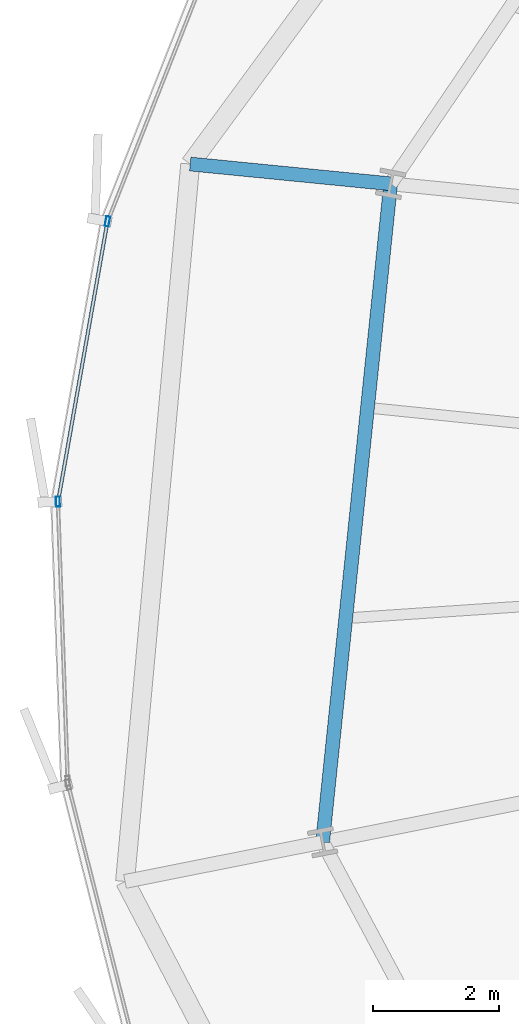
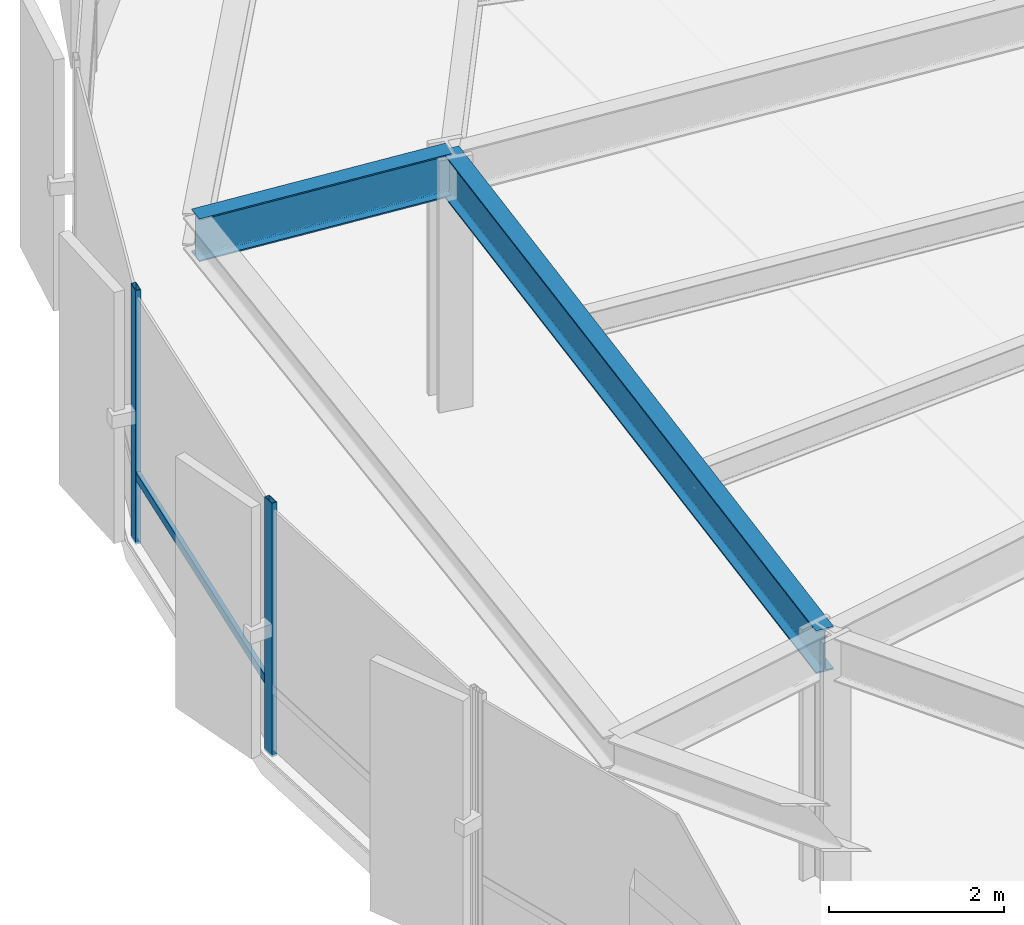
# One storey, part 9 of 38: 3 members, 2 beams, 1 element without a shape of its own.
"""IFC4 building model written with IfcOpenShell, lengths in metres."""

from ifc_helpers import new_model, si_unit, direction, frame, origin, origin_2d, place, context, subcontext, project, spatial, hollow_rectangle, i_section, extrude, source, transform, mapped, material, layer, layer_set, material_profile, profile_set, type_object, element, aggregate, save


model = new_model("IFC4")

# Units and contexts
model_context = context("Model", 3, precision=1e-05, world=origin(), true_north=direction((0.0, 1.0)))
body_context = subcontext(model_context, "Body", "Model", "MODEL_VIEW")
ifc_project = project(units=[si_unit("LENGTHUNIT", "METRE"), si_unit("AREAUNIT", "SQUARE_METRE"), si_unit("VOLUMEUNIT", "CUBIC_METRE"), si_unit("PLANEANGLEUNIT", "RADIAN"), si_unit("MASSUNIT", "GRAM", prefix="KILO"), si_unit("THERMODYNAMICTEMPERATUREUNIT", "KELVIN")], contexts=[model_context])

# Site, building, storey
site_placement = place(None, origin())
site = spatial("IfcSite", under=ifc_project, at=site_placement, CompositionType="ELEMENT")
building_placement = place(site_placement, origin())
building = spatial("IfcBuilding", under=site, at=building_placement, Name="Kethvar Cultural Tower", CompositionType="ELEMENT")
storey_placement = place(building_placement, frame((0.0, 0.0, 63.800048828125)))
storey = spatial("IfcBuildingStorey", under=building, at=storey_placement, Name="L15", CompositionType="ELEMENT", Elevation=63.800048828125)

# Beams
ifc_material_1 = material(Name="Steel S355J2", Category="steel")
ifc_material_profile_1 = material_profile(ifc_material_1, i_section(OverallWidth=0.219970703125, OverallDepth=0.60009765625, WebThickness=0.011962890625, FlangeThickness=0.01904296875, FilletRadius=0.02392578125, at=origin_2d()), Name="Steel S355J2 — IPE600")
ifc_profile_set_1 = profile_set([ifc_material_profile_1], Name="Steel S355J2 — IPE600")
beam_type = type_object("IfcBeamType", Name="BM-IPE600", PredefinedType="BEAM", material=ifc_profile_set_1)
shared_shape_1 = source(origin(), body_context, "Body", "SweptSolid", [
    extrude(i_section(OverallWidth=0.219970703125, OverallDepth=0.60009765625, WebThickness=0.011962890625, FlangeThickness=0.01904296875, FilletRadius=0.02392578125, at=origin_2d()), origin(), (0.0, 0.0, 1.0), 3.199951171875),
])
beam_1_placement = place(storey_placement, frame((21.047119140625, 32.922607421875, 3.248046875), z_axis=(-0.995167757846, 0.098189275096, 0.0), x_axis=(-0.098189275096, -0.995167757846, 0.0)))
element("IfcBeam", 1, at=beam_1_placement, inside=storey, type_object=beam_type, Name="L15 Perimeter Cantilever Beam RC-08", PredefinedType="BEAM", context=body_context, shape_type="MappedRepresentation", body=[
    mapped(shared_shape_1, transform((0.0, 0.0, 0.0), scale=1.0)),
])
shared_shape_2 = source(origin(), body_context, "Body", "SweptSolid", [
    extrude(i_section(OverallWidth=0.219970703125, OverallDepth=0.60009765625, WebThickness=0.011962890625, FlangeThickness=0.01904296875, FilletRadius=0.02392578125, at=origin_2d()), origin(), (0.0, 0.0, 1.0), 10.515869140625),
])
beam_2_placement = place(storey_placement, frame((21.047119140625, 32.922607421875, 3.248046875), z_axis=(-0.102824694973, -0.994699493367, 0.0), x_axis=(0.994699493367, -0.102824694973, 0.0)))
element("IfcBeam", 2, at=beam_2_placement, inside=storey, type_object=beam_type, Name="L15 Column Ring Tie Beam CR-08", PredefinedType="BEAM", context=body_context, shape_type="MappedRepresentation", body=[
    mapped(shared_shape_2, transform((0.0, 0.0, 0.0), scale=1.0)),
])

# Curtain wall, members
ifc_material_2 = material(Name="Aluminium 6063-T6", Category="aluminium")
ifc_layer = layer(ifc_material_2, 0.179931640625, Name="Aluminium 6063-T6", Category="aluminium")
ifc_layer_set = layer_set([ifc_layer], Name="Aluminium 6063-T6 (180 mm)")
curtain_wall_type = type_object("IfcCurtainWallType", Name="CW-SYS-02-Z1", PredefinedType="NOTDEFINED", material=ifc_layer_set)
curtain_wall_placement = place(storey_placement, origin())
curtain_wall = element("IfcCurtainWall", 3, at=curtain_wall_placement, inside=storey, type_object=curtain_wall_type, Name="L15 Curtain Wall Run 03", PredefinedType="NOTDEFINED")
ifc_material_profile_2 = material_profile(ifc_material_2, hollow_rectangle(XDim=0.06494140625, YDim=0.159912109375, WallThickness=0.0048828125, at=origin_2d()), Name="Aluminium 6063-T6 — RHS160x65x5")
ifc_profile_set_2 = profile_set([ifc_material_profile_2], Name="Aluminium 6063-T6 — RHS160x65x5")
member_type_1 = type_object("IfcMemberType", Name="CW-SYS-02-Z1-MUL", PredefinedType="MULLION", material=ifc_profile_set_2)
shared_shape_3 = source(origin(), body_context, "Body", "SweptSolid", [
    extrude(hollow_rectangle(XDim=0.06494140625, YDim=0.159912109375, WallThickness=0.0048828125, at=origin_2d()), origin(), (0.0, 0.0, 1.0), 3.550048828125),
])
member_1_placement = place(storey_placement, frame((16.54833984375, 32.325439453125, 0.0), z_axis=(0.0, 0.0, 1.0), x_axis=(0.98480472213, -0.173665365778, 0.0)))
member_1 = element("IfcMember", 4, at=member_1_placement, type_object=member_type_1, Name="CW-L15-R03 Mullion 5", PredefinedType="MULLION", context=body_context, shape_type="MappedRepresentation", body=[
    mapped(shared_shape_3, transform((0.0, 0.0, 0.0), scale=1.0)),
])
member_2_placement = place(storey_placement, frame((15.760498046875, 27.872314453125, 0.0), z_axis=(0.0, 0.0, 1.0), x_axis=(0.999385944388, 0.035039037645, 0.0)))
member_2 = element("IfcMember", 5, at=member_2_placement, type_object=member_type_1, Name="CW-L15-R03 Mullion 6", PredefinedType="MULLION", context=body_context, shape_type="MappedRepresentation", body=[
    mapped(shared_shape_3, transform((0.0, 0.0, 0.0), scale=1.0)),
])
ifc_material_profile_3 = material_profile(ifc_material_2, hollow_rectangle(XDim=0.054931640625, YDim=0.1201171875, WallThickness=0.00390625, at=origin_2d()), Name="Aluminium 6063-T6 — RHS120x55x4")
ifc_profile_set_3 = profile_set([ifc_material_profile_3], Name="Aluminium 6063-T6 — RHS120x55x4")
member_type_2 = type_object("IfcMemberType", Name="CW-SYS-02-Z1-TRN", PredefinedType="USERDEFINED", material=ifc_profile_set_3)
shared_shape_4 = source(origin(), body_context, "Body", "SweptSolid", [
    extrude(hollow_rectangle(XDim=0.054931640625, YDim=0.1201171875, WallThickness=0.00390625, at=origin_2d()), origin(), (0.0, 0.0, 1.0), 4.45361328125),
])
member_3_placement = place(storey_placement, frame((16.540283203125, 32.279296875, 0.949951171875), z_axis=(-0.173663371761, -0.984805073763, 0.0), x_axis=(0.984805073763, -0.173663371761, 0.0)))
member_3 = element("IfcMember", 6, at=member_3_placement, type_object=member_type_2, Name="CW-L15-R03 Transom 5", ObjectType="TRANSOM", PredefinedType="USERDEFINED", context=body_context, shape_type="MappedRepresentation", body=[
    mapped(shared_shape_4, transform((0.0, 0.0, 0.0), scale=1.0)),
])
aggregate(curtain_wall, [member_1, member_2, member_3])

save(model, "model.ifc")
